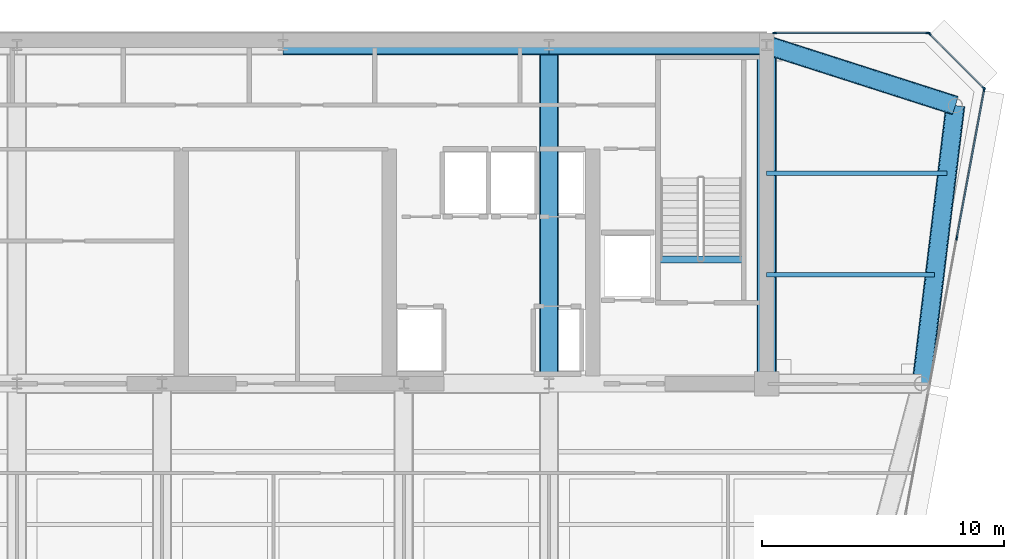
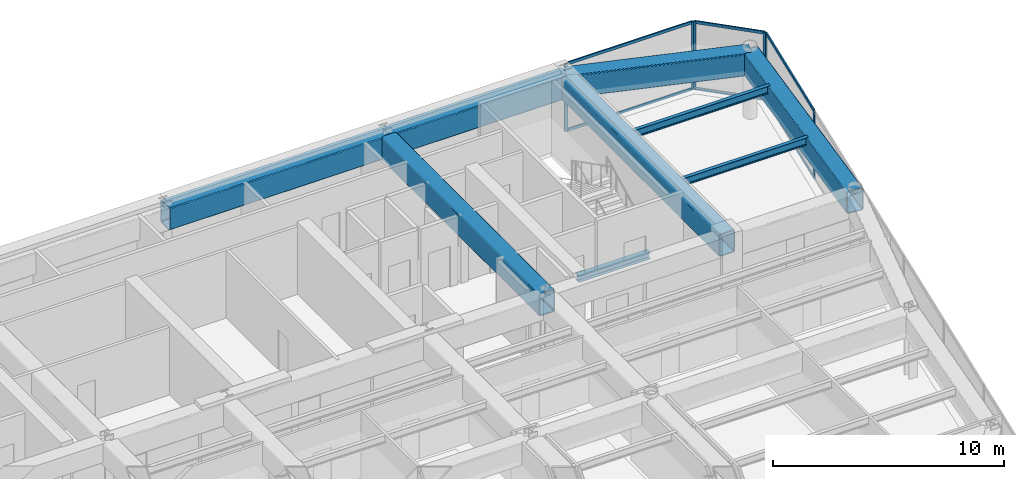
# One storey, part 9 of 17: 12 members, 9 beams, 3 elements without a shape of their own.
"""IFC4 building model written with IfcOpenShell, lengths in metres."""

from ifc_helpers import new_model, si_unit, direction, frame, origin, origin_2d, place, context, subcontext, project, spatial, rectangle, hollow_rectangle, i_section, extrude, source, transform, mapped, material, layer, layer_set, material_profile, profile_set, type_object, element, aggregate, save


model = new_model("IFC4")

# Units and contexts
model_context = context("Model", 3, precision=1e-05, world=origin(), true_north=direction((0.0, 1.0)))
body_context = subcontext(model_context, "Body", "Model", "MODEL_VIEW")
ifc_project = project(units=[si_unit("LENGTHUNIT", "METRE"), si_unit("AREAUNIT", "SQUARE_METRE"), si_unit("VOLUMEUNIT", "CUBIC_METRE"), si_unit("PLANEANGLEUNIT", "RADIAN"), si_unit("MASSUNIT", "GRAM", prefix="KILO")], contexts=[model_context])

# Site, building, storey
site_placement = place(None, origin())
site = spatial("IfcSite", under=ifc_project, at=site_placement, CompositionType="ELEMENT")
building_placement = place(site_placement, origin())
building = spatial("IfcBuilding", under=site, at=building_placement, Name="Vaeldorn Concourse Tower", CompositionType="ELEMENT")
storey_placement = place(building_placement, frame((0.0, 0.0, 234.60009765625)))
storey = spatial("IfcBuildingStorey", under=building, at=storey_placement, Name="L60", CompositionType="ELEMENT", Elevation=234.60009765625)

# Beams
ifc_material_1 = material(Name="Steel S355", Category="steel")
ifc_material_profile_1 = material_profile(ifc_material_1, i_section(OverallWidth=0.300048828125, OverallDepth=0.340087890625, WebThickness=0.011962890625, FlangeThickness=0.021484375, FilletRadius=0.027099609375, at=origin_2d()), Name="HEB 340")
ifc_profile_set_1 = profile_set([ifc_material_profile_1], Name="Steel S355")
beam_type_1 = type_object("IfcBeamType", Name="BM-ST-TRIM", PredefinedType="BEAM", material=ifc_profile_set_1)
shared_shape_1 = source(origin(), body_context, "Body", "SweptSolid", [
    extrude(i_section(OverallWidth=0.300048828125, OverallDepth=0.340087890625, WebThickness=0.011962890625, FlangeThickness=0.021484375, FilletRadius=0.027099609375, at=origin_2d()), origin(), (0.0, 0.0, 1.0), 3.590087890625),
])
beam_1_placement = place(storey_placement, frame((49.47998046875, 41.639892578125, -0.39013671875), z_axis=(1.0, 0.0, 0.0), x_axis=(0.0, 1.0, 0.0)))
element("IfcBeam", 1, at=beam_1_placement, inside=storey, type_object=beam_type_1, Name="Stair Landing Trimmer Beam ST-2 L60", PredefinedType="BEAM", context=body_context, shape_type="MappedRepresentation", body=[
    mapped(shared_shape_1, transform((0.0, 0.0, 0.0), scale=1.0)),
])
ifc_material_2 = material(Name="Steel S460", Category="steel")
ifc_material_profile_2 = material_profile(ifc_material_2, hollow_rectangle(XDim=0.800048828125, YDim=1.199951171875, WallThickness=0.044921875, InnerFilletRadius=0.044921875, OuterFilletRadius=0.090087890625, at=origin_2d()), Name="RHS 1200x800x45")
ifc_profile_set_2 = profile_set([ifc_material_profile_2], Name="Steel S460")
beam_type_2 = type_object("IfcBeamType", Name="BM-TG-RHS1200", PredefinedType="BEAM", material=ifc_profile_set_2)
shared_shape_2 = source(origin(), body_context, "Body", "SweptSolid", [
    extrude(hollow_rectangle(XDim=0.800048828125, YDim=1.199951171875, WallThickness=0.044921875, InnerFilletRadius=0.044921875, OuterFilletRadius=0.090087890625, at=origin_2d()), origin(), (0.0, 0.0, 1.0), 9.0),
])
beam_2_placement = place(storey_placement, frame((45.0, 50.5, 2.97998046875), z_axis=(1.0, 0.0, 0.0), x_axis=(0.0, 1.0, 0.0)))
element("IfcBeam", 2, at=beam_2_placement, inside=storey, type_object=beam_type_2, Name="Beam BM-L60-C-HC4-C-HC5", PredefinedType="BEAM", context=body_context, shape_type="MappedRepresentation", body=[
    mapped(shared_shape_2, transform((0.0, 0.0, 0.0), scale=1.0)),
])
shared_shape_3 = source(origin(), body_context, "Body", "SweptSolid", [
    extrude(hollow_rectangle(XDim=0.800048828125, YDim=1.199951171875, WallThickness=0.044921875, InnerFilletRadius=0.044921875, OuterFilletRadius=0.090087890625, at=origin_2d()), origin(), (0.0, 0.0, 1.0), 11.0),
])
beam_3_placement = place(storey_placement, frame((34.0, 50.5, 2.97998046875), z_axis=(1.0, 0.0, 0.0), x_axis=(0.0, 1.0, 0.0)))
element("IfcBeam", 3, at=beam_3_placement, inside=storey, type_object=beam_type_2, Name="Beam BM-L60-C-HC3-C-HC4", PredefinedType="BEAM", context=body_context, shape_type="MappedRepresentation", body=[
    mapped(shared_shape_3, transform((0.0, 0.0, 0.0), scale=1.0)),
])
shared_shape_4 = source(origin(), body_context, "Body", "SweptSolid", [
    extrude(hollow_rectangle(XDim=0.800048828125, YDim=1.199951171875, WallThickness=0.044921875, InnerFilletRadius=0.044921875, OuterFilletRadius=0.090087890625, at=origin_2d()), origin(), (0.0, 0.0, 1.0), 14.0),
])
for number, where, z_axis, x_axis, name in (
    (4, (45.0, 36.5, 2.97998046875), (0.0, 1.0, 0.0), (-1.0, 0.0, 0.0), "Beam BM-L60-C-FC5-C-HC4"),
    (5, (54.0, 36.5, 2.97998046875), (0.0, 1.0, 0.0), (-1.0, 0.0, 0.0), "Beam BM-L60-C-FC6-C-HC5"),
):
    element("IfcBeam", number, at=place(storey_placement, frame(where, z_axis=z_axis, x_axis=x_axis)), inside=storey, type_object=beam_type_2, Name=name, PredefinedType="BEAM", context=body_context, shape_type="MappedRepresentation", body=[
        mapped(shared_shape_4, transform((0.0, 0.0, 0.0), scale=1.0)),
    ])
shared_shape_5 = source(origin(), body_context, "Body", "SweptSolid", [
    extrude(hollow_rectangle(XDim=0.800048828125, YDim=1.199951171875, WallThickness=0.044921875, InnerFilletRadius=0.044921875, OuterFilletRadius=0.090087890625, at=origin_2d()), origin(), (0.0, 0.0, 1.0), 8.19091796875),
])
beam_4_placement = place(storey_placement, frame((54.0, 50.5, 2.97998046875), z_axis=(0.952282843383, -0.305216949396, 0.0), x_axis=(0.305216949396, 0.952282843383, 0.0)))
element("IfcBeam", 6, at=beam_4_placement, inside=storey, type_object=beam_type_2, Name="Beam BM-L60-C-HC5-C-NE1", PredefinedType="BEAM", context=body_context, shape_type="MappedRepresentation", body=[
    mapped(shared_shape_5, transform((0.0, 0.0, 0.0), scale=1.0)),
])
shared_shape_6 = source(origin(), body_context, "Body", "SweptSolid", [
    extrude(hollow_rectangle(XDim=0.800048828125, YDim=1.199951171875, WallThickness=0.044921875, InnerFilletRadius=0.044921875, OuterFilletRadius=0.090087890625, at=origin_2d()), origin(), (0.0, 0.0, 1.0), 11.5849609375),
])
beam_5_placement = place(storey_placement, frame((61.800048828125, 48.0, 2.97998046875), z_axis=(-0.120859382899, -0.992669637677, 0.0), x_axis=(0.992669637677, -0.120859382899, 0.0)))
element("IfcBeam", 7, at=beam_5_placement, inside=storey, type_object=beam_type_2, Name="Beam BM-L60-C-NE1-C-NE2", PredefinedType="BEAM", context=body_context, shape_type="MappedRepresentation", body=[
    mapped(shared_shape_6, transform((0.0, 0.0, 0.0), scale=1.0)),
])
ifc_material_profile_3 = material_profile(ifc_material_1, i_section(OverallWidth=0.179931640625, OverallDepth=0.39990234375, WebThickness=0.008544921875, FlangeThickness=0.013427734375, FilletRadius=0.02099609375, at=origin_2d()), Name="IPE 400")
ifc_profile_set_3 = profile_set([ifc_material_profile_3], Name="Steel S355")
beam_type_3 = type_object("IfcBeamType", Name="BM-JS-IPE400", PredefinedType="JOIST", material=ifc_profile_set_3)
shared_shape_7 = source(origin(), body_context, "Body", "SweptSolid", [
    extrude(i_section(OverallWidth=0.179931640625, OverallDepth=0.39990234375, WebThickness=0.008544921875, FlangeThickness=0.013427734375, FilletRadius=0.02099609375, at=origin_2d()), origin(), (0.0, 0.0, 1.0), 6.94775390625),
])
beam_6_placement = place(storey_placement, frame((54.0, 41.0, 3.3798828125), z_axis=(1.0, 0.0, 0.0), x_axis=(0.0, 1.0, 0.0)))
element("IfcBeam", 8, at=beam_6_placement, inside=storey, type_object=beam_type_3, Name="Beam JS-L60-NE-410", PredefinedType="JOIST", context=body_context, shape_type="MappedRepresentation", body=[
    mapped(shared_shape_7, transform((0.0, 0.0, 0.0), scale=1.0)),
])
shared_shape_8 = source(origin(), body_context, "Body", "SweptSolid", [
    extrude(i_section(OverallWidth=0.179931640625, OverallDepth=0.39990234375, WebThickness=0.008544921875, FlangeThickness=0.013427734375, FilletRadius=0.02099609375, at=origin_2d()), origin(), (0.0, 0.0, 1.0), 7.458984375),
])
beam_7_placement = place(storey_placement, frame((54.0, 45.199951171875, 3.3798828125), z_axis=(1.0, 0.0, 0.0), x_axis=(0.0, 1.0, 0.0)))
element("IfcBeam", 9, at=beam_7_placement, inside=storey, type_object=beam_type_3, Name="Beam JS-L60-NE-452", PredefinedType="JOIST", context=body_context, shape_type="MappedRepresentation", body=[
    mapped(shared_shape_8, transform((0.0, 0.0, 0.0), scale=1.0)),
])

# Curtain wall, members
ifc_material_3 = material(Name="Anodised Bronze Aluminium", Category="aluminium")
ifc_layer = layer(ifc_material_3, 0.179931640625)
ifc_layer_set = layer_set([ifc_layer], Name="Anodised Bronze Aluminium")
curtain_wall_type = type_object("IfcCurtainWallType", Name="CW-SYS-05", PredefinedType="NOTDEFINED", material=ifc_layer_set)
curtain_wall_1_placement = place(storey_placement, origin())
curtain_wall_1 = element("IfcCurtainWall", 10, at=curtain_wall_1_placement, inside=storey, type_object=curtain_wall_type, Name="Unitised Curtain Wall CW-L60-E07-2", PredefinedType="NOTDEFINED")
ifc_material_profile_4 = material_profile(ifc_material_3, rectangle(XDim=0.06494140625, YDim=0.169921875, at=origin_2d()), Name="CWM 65x170")
ifc_profile_set_4 = profile_set([ifc_material_profile_4], Name="Anodised Bronze Aluminium")
member_type_1 = type_object("IfcMemberType", Name="CWM-BRONZE-170", PredefinedType="MULLION", material=ifc_profile_set_4)
shared_shape_9 = source(origin(), body_context, "Body", "SweptSolid", [
    extrude(rectangle(XDim=0.06494140625, YDim=0.169921875, at=origin_2d()), origin(), (0.0, 0.0, 1.0), 3.579833984375),
])
member_1_placement = place(storey_placement, frame((61.857421875, 42.5234375, 0.0), z_axis=(0.0, 0.0, 1.0), x_axis=(-0.983319198447, 0.181888300792, 0.0)))
member_1 = element("IfcMember", 11, at=member_1_placement, type_object=member_type_1, Name="CW-05 mullion 2", PredefinedType="MULLION", context=body_context, shape_type="MappedRepresentation", body=[
    mapped(shared_shape_9, transform((0.0, 0.0, 0.0), scale=1.0)),
])
member_2_placement = place(storey_placement, frame((62.994140625, 48.66796875, 0.0), z_axis=(0.0, 0.0, 1.0), x_axis=(-0.983319198447, 0.181888300792, 0.0)))
member_2 = element("IfcMember", 12, at=member_2_placement, type_object=member_type_1, Name="CW-05 mullion 3", PredefinedType="MULLION", context=body_context, shape_type="MappedRepresentation", body=[
    mapped(shared_shape_9, transform((0.0, 0.0, 0.0), scale=1.0)),
])

curtain_wall_2_placement = place(storey_placement, origin())
curtain_wall_2 = element("IfcCurtainWall", 13, at=curtain_wall_2_placement, inside=storey, type_object=curtain_wall_type, Name="Unitised Curtain Wall CW-L60-E08-1", PredefinedType="NOTDEFINED")
member_3_placement = place(storey_placement, frame((62.97705078125, 48.722900390625, 0.0), z_axis=(0.0, 0.0, 1.0), x_axis=(-0.707106781187, -0.707106781187, 0.0)))
member_3 = element("IfcMember", 14, at=member_3_placement, type_object=member_type_1, Name="CW-05 mullion 1", PredefinedType="MULLION", context=body_context, shape_type="MappedRepresentation", body=[
    mapped(shared_shape_9, transform((0.0, 0.0, 0.0), scale=1.0)),
])
member_4_placement = place(storey_placement, frame((60.722900390625, 50.97705078125, 0.0), z_axis=(0.0, 0.0, 1.0), x_axis=(-0.707106781187, -0.707106781187, 0.0)))
member_4 = element("IfcMember", 15, at=member_4_placement, type_object=member_type_1, Name="CW-05 mullion 2", PredefinedType="MULLION", context=body_context, shape_type="MappedRepresentation", body=[
    mapped(shared_shape_9, transform((0.0, 0.0, 0.0), scale=1.0)),
])

curtain_wall_3_placement = place(storey_placement, origin())
curtain_wall_3 = element("IfcCurtainWall", 16, at=curtain_wall_3_placement, inside=storey, type_object=curtain_wall_type, Name="Unitised Curtain Wall CW-L60-E09-1", PredefinedType="NOTDEFINED")
member_5_placement = place(storey_placement, frame((60.66748046875, 51.0, 0.0), z_axis=(0.0, 0.0, 1.0), x_axis=(0.0, -1.0, 0.0)))
member_5 = element("IfcMember", 17, at=member_5_placement, type_object=member_type_1, Name="CW-05 mullion 1", PredefinedType="MULLION", context=body_context, shape_type="MappedRepresentation", body=[
    mapped(shared_shape_9, transform((0.0, 0.0, 0.0), scale=1.0)),
])
member_6_placement = place(storey_placement, frame((54.327392578125, 51.0, 0.0), z_axis=(0.0, 0.0, 1.0), x_axis=(0.0, -1.0, 0.0)))
member_6 = element("IfcMember", 18, at=member_6_placement, type_object=member_type_1, Name="CW-05 mullion 2", PredefinedType="MULLION", context=body_context, shape_type="MappedRepresentation", body=[
    mapped(shared_shape_9, transform((0.0, 0.0, 0.0), scale=1.0)),
])

# Member
ifc_material_profile_5 = material_profile(ifc_material_3, rectangle(XDim=0.06494140625, YDim=0.14990234375, at=origin_2d()), Name="CWT 65x150")
ifc_profile_set_5 = profile_set([ifc_material_profile_5], Name="Anodised Bronze Aluminium")
member_type_2 = type_object("IfcMemberType", Name="CWT-BRONZE-150", PredefinedType="USERDEFINED", material=ifc_profile_set_5)
shared_shape_10 = source(origin(), body_context, "Body", "SweptSolid", [
    extrude(rectangle(XDim=0.06494140625, YDim=0.14990234375, at=origin_2d()), origin(), (0.0, 0.0, 1.0), 3.123046875),
])
member_7_placement = place(storey_placement, frame((62.9541015625, 48.745849609375, 0.032470703125), z_axis=(-0.707106781187, 0.707106781187, 0.0), x_axis=(-0.707106781187, -0.707106781187, 0.0)))
member_7 = element("IfcMember", 19, at=member_7_placement, type_object=member_type_2, Name="CW-05 transom 1.1", ObjectType="TRANSOM", PredefinedType="USERDEFINED", context=body_context, shape_type="MappedRepresentation", body=[
    mapped(shared_shape_10, transform((0.0, 0.0, 0.0), scale=1.0)),
])

member_8_placement = place(storey_placement, frame((62.9541015625, 48.745849609375, 3.54736328125), z_axis=(-0.707106781187, 0.707106781187, 0.0), x_axis=(-0.707106781187, -0.707106781187, 0.0)))
member_8 = element("IfcMember", 20, at=member_8_placement, type_object=member_type_2, Name="CW-05 transom 1.2", ObjectType="TRANSOM", PredefinedType="USERDEFINED", context=body_context, shape_type="MappedRepresentation", body=[
    mapped(shared_shape_10, transform((0.0, 0.0, 0.0), scale=1.0)),
])

aggregate(curtain_wall_2, [member_3, member_4, member_7, member_8])

shared_shape_11 = source(origin(), body_context, "Body", "SweptSolid", [
    extrude(rectangle(XDim=0.06494140625, YDim=0.14990234375, at=origin_2d()), origin(), (0.0, 0.0, 1.0), 6.27490234375),
])
member_9_placement = place(storey_placement, frame((60.635009765625, 51.0, 0.032470703125), z_axis=(-1.0, 0.0, 0.0), x_axis=(0.0, -1.0, 0.0)))
member_9 = element("IfcMember", 21, at=member_9_placement, type_object=member_type_2, Name="CW-05 transom 1.1", ObjectType="TRANSOM", PredefinedType="USERDEFINED", context=body_context, shape_type="MappedRepresentation", body=[
    mapped(shared_shape_11, transform((0.0, 0.0, 0.0), scale=1.0)),
])

member_10_placement = place(storey_placement, frame((60.635009765625, 51.0, 3.54736328125), z_axis=(-1.0, 0.0, 0.0), x_axis=(0.0, -1.0, 0.0)))
member_10 = element("IfcMember", 22, at=member_10_placement, type_object=member_type_2, Name="CW-05 transom 1.2", ObjectType="TRANSOM", PredefinedType="USERDEFINED", context=body_context, shape_type="MappedRepresentation", body=[
    mapped(shared_shape_11, transform((0.0, 0.0, 0.0), scale=1.0)),
])

aggregate(curtain_wall_3, [member_5, member_6, member_9, member_10])

shared_shape_12 = source(origin(), body_context, "Body", "SweptSolid", [
    extrude(rectangle(XDim=0.06494140625, YDim=0.14990234375, at=origin_2d()), origin(), (0.0, 0.0, 1.0), 6.183837890625),
])
member_11_placement = place(storey_placement, frame((61.863525390625, 42.555419921875, 0.032470703125), z_axis=(0.181889913007, 0.983318900228, 0.0), x_axis=(-0.983318900228, 0.181889913007, 0.0)))
member_11 = element("IfcMember", 23, at=member_11_placement, type_object=member_type_2, Name="CW-05 transom 2.1", ObjectType="TRANSOM", PredefinedType="USERDEFINED", context=body_context, shape_type="MappedRepresentation", body=[
    mapped(shared_shape_12, transform((0.0, 0.0, 0.0), scale=1.0)),
])

member_12_placement = place(storey_placement, frame((61.863525390625, 42.555419921875, 3.54736328125), z_axis=(0.181889913007, 0.983318900228, 0.0), x_axis=(-0.983318900228, 0.181889913007, 0.0)))
member_12 = element("IfcMember", 24, at=member_12_placement, type_object=member_type_2, Name="CW-05 transom 2.2", ObjectType="TRANSOM", PredefinedType="USERDEFINED", context=body_context, shape_type="MappedRepresentation", body=[
    mapped(shared_shape_12, transform((0.0, 0.0, 0.0), scale=1.0)),
])

aggregate(curtain_wall_1, [member_1, member_2, member_11, member_12])

save(model, "model.ifc")
